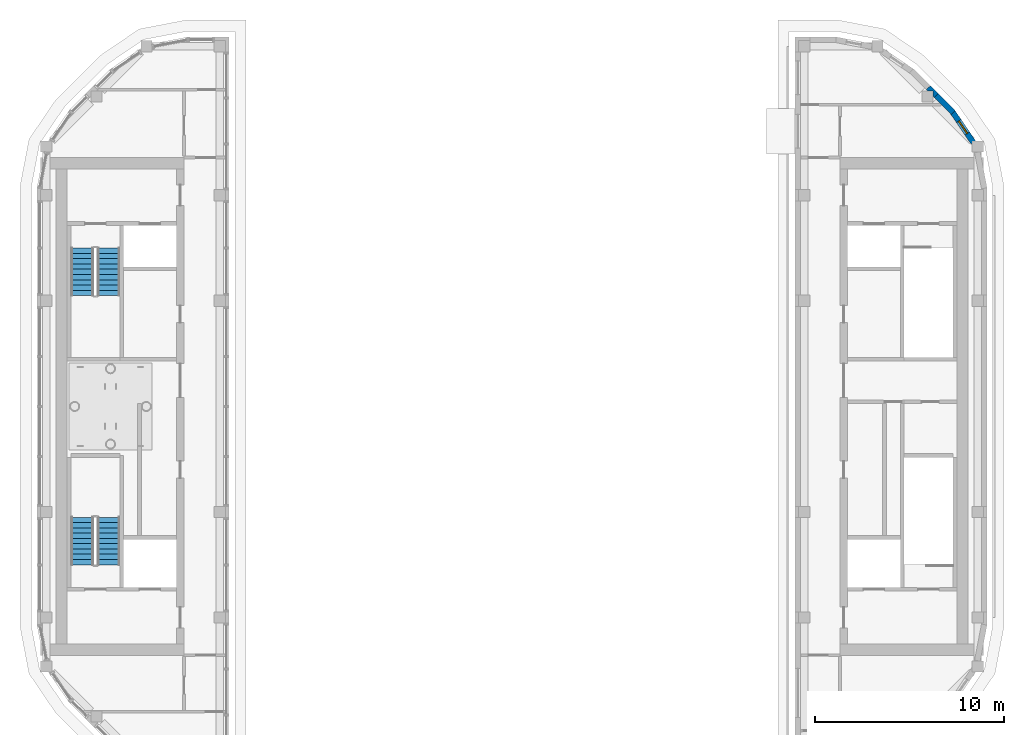
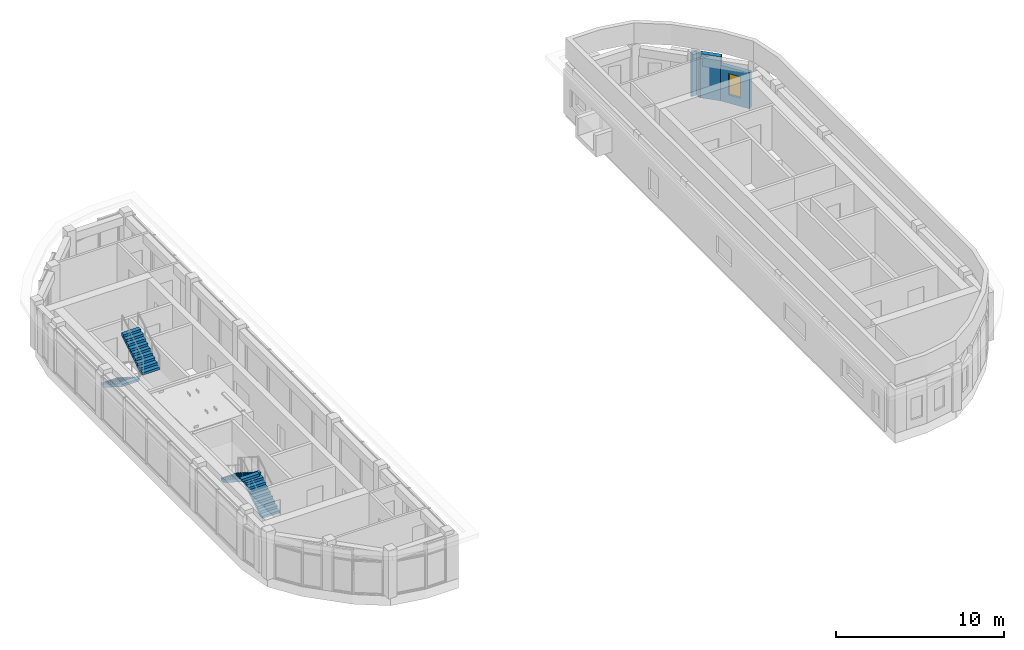
# One storey, part 12 of 16: 4 stair flights, 3 walls, 1 window, 1 opening, 2 elements without a shape of their own.
"""IFC4 building model written with IfcOpenShell, lengths in metres."""

from ifc_helpers import new_model, si_unit, direction, frame, frame_2d, origin, place, context, subcontext, project, spatial, polyline, rectangle, outline, extrude, material, layer, layer_set, type_object, element, fill, aggregate, save


model = new_model("IFC4")

# Units and contexts
model_context = context("Model", 3, precision=1e-05, world=origin(), true_north=direction((0.0, 1.0)))
body_context = subcontext(model_context, "Body", "Model", "MODEL_VIEW")
ifc_project = project(units=[si_unit("LENGTHUNIT", "METRE"), si_unit("AREAUNIT", "SQUARE_METRE"), si_unit("VOLUMEUNIT", "CUBIC_METRE"), si_unit("PLANEANGLEUNIT", "RADIAN"), si_unit("MASSUNIT", "GRAM", prefix="KILO")], contexts=[model_context])

# Site, building, storey
site_placement = place(None, origin())
site = spatial("IfcSite", under=ifc_project, at=site_placement, CompositionType="ELEMENT")
building_placement = place(site_placement, origin())
building = spatial("IfcBuilding", under=site, at=building_placement, Name="Kiln Ring Residences", CompositionType="ELEMENT")
storey_placement = place(building_placement, frame((0.0, 0.0, 313.89990234375)))
storey = spatial("IfcBuildingStorey", under=building, at=storey_placement, Name="L81 Crown", CompositionType="ELEMENT", Elevation=313.89990234375)

# Wall, opening, window
ifc_material_1 = material(Name="Brick masonry, dark clay brick", Category="masonry")
ifc_layer = layer(ifc_material_1, 0.300048828125)
ifc_layer_set = layer_set([ifc_layer], Name="EW-300 BRICK WALL")
wall_type = type_object("IfcWallType", Name="EW-300 BRICK WALL", PredefinedType="SOLIDWALL", material=ifc_layer_set)
wall_1_placement = place(storey_placement, frame((24.4736328125, 14.001708984375, 0.0), z_axis=(0.0, 0.0, 1.0), x_axis=(-0.562025435703, 0.827119948752, 0.0)))
wall_1 = element("IfcWall", 1, at=wall_1_placement, inside=storey, type_object=wall_type, Name="Facade wall L81 Crown 17", PredefinedType="SOLIDWALL", context=body_context, shape_type="SweptSolid", body=[
    extrude(rectangle(XDim=1.94775390625, YDim=0.300048828125, at=frame_2d((0.973876953125, 0.0))), origin(), (0.0, 0.0, 1.0), 2.60009765625),
])
opening_placement = place(wall_1_placement, frame((0.573974609375, 0.0, 0.60009765625)))
opening = element("IfcOpeningElement", 2, at=opening_placement, cuts=wall_1, Name="Opening W5", PredefinedType="OPENING", context=body_context, shape_type="SweptSolid", body=[
    extrude(rectangle(XDim=0.800048828125, YDim=1.550048828125, at=frame_2d((0.39990234375, 0.77490234375))), frame((0.0, 0.159912109375, 0.0), z_axis=(0.0, -1.0, 0.0), x_axis=(1.0, 0.0, 0.0)), (0.0, 0.0, 1.0), 0.320068359375),
])
ifc_material_2 = material(Name="Aluminium frame with double glazing", Category="aluminium")
window_type = type_object("IfcWindowType", Name="WINDOW 800 x 1550", PartitioningType="SINGLE_PANEL", PredefinedType="WINDOW", material=ifc_material_2)
window_placement = place(opening_placement, origin())
window = element("IfcWindow", 3, at=window_placement, inside=storey, type_object=window_type, Name="Window L81 Crown 9", OverallHeight=1.550048828125, OverallWidth=0.800048828125, PartitioningType="SINGLE_PANEL", PredefinedType="WINDOW", context=body_context, shape_type="SweptSolid", body=[
    extrude(rectangle(XDim=0.800048828125, YDim=1.550048828125, at=frame_2d((0.39990234375, 0.77490234375))), frame((0.0, 0.030029296875, 0.0), z_axis=(0.0, -1.0, 0.0), x_axis=(1.0, 0.0, 0.0)), (0.0, 0.0, 1.0), 0.06005859375),
])
fill(opening, window)

# Walls
wall_2_placement = place(storey_placement, frame((23.39697265625, 15.591064453125, 0.0), z_axis=(0.0, 0.0, 1.0), x_axis=(-0.707203678312, 0.707009870781, 0.0)))
element("IfcWall", 4, at=wall_2_placement, inside=storey, type_object=wall_type, Name="Facade wall L81 Crown 18", PredefinedType="SOLIDWALL", context=body_context, shape_type="SweptSolid", body=[
    extrude(rectangle(XDim=1.259765625, YDim=0.300048828125, at=frame_2d((0.6298828125, 0.0))), origin(), (0.0, 0.0, 1.0), 3.2001953125),
])
placement = place(storey_placement, origin())
element("IfcWall", 5, at=placement, inside=storey, type_object=wall_type, Name="Corner wall L81 Crown 13", PredefinedType="SOLIDWALL", context=body_context, shape_type="SweptSolid", body=[
    extrude(outline(polyline([(22.39990234375, 16.375732421875), (22.612060546875, 16.587890625), (22.18798828125, 17.01220703125), (21.9755859375, 16.800048828125), (22.029296875, 16.746337890625), (22.346435546875, 16.746337890625), (22.346435546875, 16.42919921875), (22.39990234375, 16.375732421875)])), origin(), (0.0, 0.0, 1.0), 3.2001953125),
])

# Stair, stair flights
ifc_material_3 = material(Name="Concrete C40/50", Category="concrete")
stair_type = type_object("IfcStairType", Name="CORE-STAIR", PredefinedType="HALF_TURN_STAIR", material=ifc_material_3)
stair_1 = element("IfcStair", 6, at=placement, inside=storey, type_object=stair_type, Name="L81 Crown stair W-STN", PredefinedType="HALF_TURN_STAIR")
ifc_material_4 = material(Name="Concrete C40/50", Category="concrete")
stair_flight_type = type_object("IfcStairFlightType", Name="CORE-STAIR-FLIGHT", PredefinedType="STRAIGHT", material=ifc_material_4)
stair_flight_1_placement = place(storey_placement, frame((-22.800048828125, 8.39990234375, 0.0), z_axis=(0.0, 0.0, 1.0), x_axis=(0.0, -1.0, 0.0)))
stair_flight_1 = element("IfcStairFlight", 7, at=stair_flight_1_placement, type_object=stair_flight_type, Name="W-STN flight 1", NumberOfRisers=10, NumberOfTreads=9, PredefinedType="STRAIGHT", RiserHeight=0.175, TreadLength=0.28, context=body_context, shape_type="SweptSolid", body=[
    extrude(outline(polyline([(0.0, 0.0), (0.0, 0.175048828125), (0.280029296875, 0.175048828125), (0.280029296875, 0.35009765625), (0.56005859375, 0.35009765625), (0.56005859375, 0.52490234375), (0.840087890625, 0.52490234375), (0.840087890625, 0.699951171875), (1.1201171875, 0.699951171875), (1.1201171875, 0.875), (1.39990234375, 0.875), (1.39990234375, 1.050048828125), (1.679931640625, 1.050048828125), (1.679931640625, 1.22509765625), (1.9599609375, 1.22509765625), (1.9599609375, 1.39990234375), (2.239990234375, 1.39990234375), (2.239990234375, 1.574951171875), (2.52001953125, 1.574951171875), (2.52001953125, 1.75), (2.52001953125, 1.398193359375), (0.28271484375, 0.0), (0.0, 0.0)])), frame((0.0, 0.60009765625, 0.0), z_axis=(0.0, -1.0, 0.0), x_axis=(1.0, 0.0, 0.0)), (0.0, 0.0, 1.0), 1.199951171875),
])
stair_flight_2_placement = place(storey_placement, frame((-21.39990234375, 5.8798828125, 1.75), z_axis=(0.0, 0.0, 1.0), x_axis=(0.0, 1.0, 0.0)))
stair_flight_2 = element("IfcStairFlight", 8, at=stair_flight_2_placement, type_object=stair_flight_type, Name="W-STN flight 2", NumberOfRisers=10, NumberOfTreads=9, PredefinedType="STRAIGHT", RiserHeight=0.175, TreadLength=0.28, context=body_context, shape_type="SweptSolid", body=[
    extrude(outline(polyline([(0.0, 0.0), (0.0, 0.175048828125), (0.280029296875, 0.175048828125), (0.280029296875, 0.35009765625), (0.56005859375, 0.35009765625), (0.56005859375, 0.52490234375), (0.840087890625, 0.52490234375), (0.840087890625, 0.699951171875), (1.1201171875, 0.699951171875), (1.1201171875, 0.875), (1.39990234375, 0.875), (1.39990234375, 1.050048828125), (1.679931640625, 1.050048828125), (1.679931640625, 1.22509765625), (1.9599609375, 1.22509765625), (1.9599609375, 1.39990234375), (2.239990234375, 1.39990234375), (2.239990234375, 1.574951171875), (2.52001953125, 1.574951171875), (2.52001953125, 1.75), (2.52001953125, 1.398193359375), (0.28271484375, 0.0), (0.0, 0.0)])), frame((0.0, 0.60009765625, 0.0), z_axis=(0.0, -1.0, 0.0), x_axis=(1.0, 0.0, 0.0)), (0.0, 0.0, 1.0), 1.199951171875),
])
aggregate(stair_1, [stair_flight_1, stair_flight_2])

stair_2 = element("IfcStair", 9, at=placement, inside=storey, type_object=stair_type, Name="L81 Crown stair W-STS", PredefinedType="HALF_TURN_STAIR")
stair_flight_3_placement = place(storey_placement, frame((-21.39990234375, -8.39990234375, 0.0), z_axis=(0.0, 0.0, 1.0), x_axis=(0.0, 1.0, 0.0)))
stair_flight_3 = element("IfcStairFlight", 10, at=stair_flight_3_placement, type_object=stair_flight_type, Name="W-STS flight 1", NumberOfRisers=10, NumberOfTreads=9, PredefinedType="STRAIGHT", RiserHeight=0.175, TreadLength=0.28, context=body_context, shape_type="SweptSolid", body=[
    extrude(outline(polyline([(0.0, 0.0), (0.0, 0.175048828125), (0.280029296875, 0.175048828125), (0.280029296875, 0.35009765625), (0.56005859375, 0.35009765625), (0.56005859375, 0.52490234375), (0.840087890625, 0.52490234375), (0.840087890625, 0.699951171875), (1.1201171875, 0.699951171875), (1.1201171875, 0.875), (1.39990234375, 0.875), (1.39990234375, 1.050048828125), (1.679931640625, 1.050048828125), (1.679931640625, 1.22509765625), (1.9599609375, 1.22509765625), (1.9599609375, 1.39990234375), (2.239990234375, 1.39990234375), (2.239990234375, 1.574951171875), (2.52001953125, 1.574951171875), (2.52001953125, 1.75), (2.52001953125, 1.398193359375), (0.28271484375, 0.0), (0.0, 0.0)])), frame((0.0, 0.60009765625, 0.0), z_axis=(0.0, -1.0, 0.0), x_axis=(1.0, 0.0, 0.0)), (0.0, 0.0, 1.0), 1.199951171875),
])
stair_flight_4_placement = place(storey_placement, frame((-22.800048828125, -5.8798828125, 1.75), z_axis=(0.0, 0.0, 1.0), x_axis=(0.0, -1.0, 0.0)))
stair_flight_4 = element("IfcStairFlight", 11, at=stair_flight_4_placement, type_object=stair_flight_type, Name="W-STS flight 2", NumberOfRisers=10, NumberOfTreads=9, PredefinedType="STRAIGHT", RiserHeight=0.175, TreadLength=0.28, context=body_context, shape_type="SweptSolid", body=[
    extrude(outline(polyline([(0.0, 0.0), (0.0, 0.175048828125), (0.280029296875, 0.175048828125), (0.280029296875, 0.35009765625), (0.56005859375, 0.35009765625), (0.56005859375, 0.52490234375), (0.840087890625, 0.52490234375), (0.840087890625, 0.699951171875), (1.1201171875, 0.699951171875), (1.1201171875, 0.875), (1.39990234375, 0.875), (1.39990234375, 1.050048828125), (1.679931640625, 1.050048828125), (1.679931640625, 1.22509765625), (1.9599609375, 1.22509765625), (1.9599609375, 1.39990234375), (2.239990234375, 1.39990234375), (2.239990234375, 1.574951171875), (2.52001953125, 1.574951171875), (2.52001953125, 1.75), (2.52001953125, 1.398193359375), (0.28271484375, 0.0), (0.0, 0.0)])), frame((0.0, 0.60009765625, 0.0), z_axis=(0.0, -1.0, 0.0), x_axis=(1.0, 0.0, 0.0)), (0.0, 0.0, 1.0), 1.199951171875),
])
aggregate(stair_2, [stair_flight_3, stair_flight_4])

save(model, "model.ifc")
